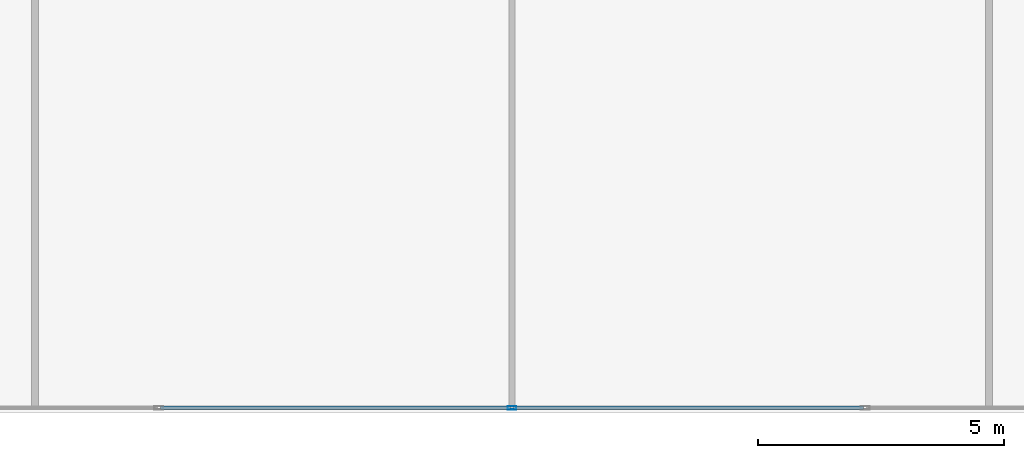
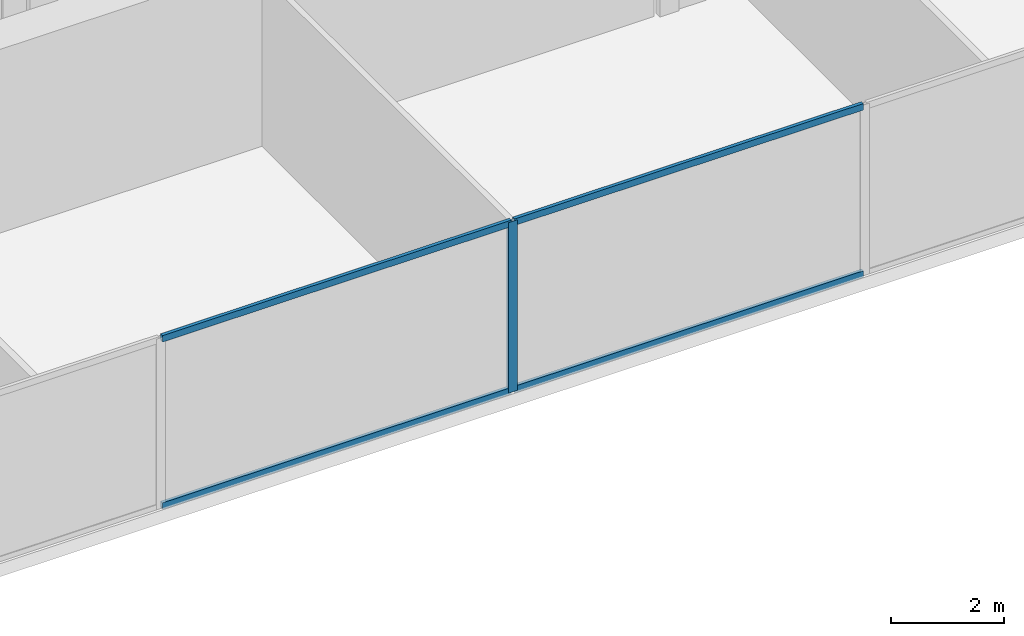
# One storey, part 6 of 28: 5 members, 1 element without a shape of its own.
"""IFC4 building model written with IfcOpenShell, lengths in metres."""

from ifc_helpers import new_model, si_unit, direction, frame, origin, origin_2d, place, context, subcontext, project, spatial, hollow_rectangle, extrude, source, transform, mapped, material, material_profile, profile_set, type_object, type_shapes, element, aggregate, save


model = new_model("IFC4")

# Units and contexts
model_context = context("Model", 3, precision=1e-05, world=origin(), true_north=direction((0.0, 1.0)))
body_context = subcontext(model_context, "Body", "Model", "MODEL_VIEW")
ifc_project = project(units=[si_unit("LENGTHUNIT", "METRE"), si_unit("AREAUNIT", "SQUARE_METRE"), si_unit("VOLUMEUNIT", "CUBIC_METRE"), si_unit("PLANEANGLEUNIT", "RADIAN"), si_unit("MASSUNIT", "GRAM", prefix="KILO")], contexts=[model_context])

# Site, building, storey
site_placement = place(None, origin())
site = spatial("IfcSite", under=ifc_project, at=site_placement, CompositionType="ELEMENT")
building_placement = place(site_placement, origin())
building = spatial("IfcBuilding", under=site, at=building_placement, Name="Krantzveldt Concourse Tower", CompositionType="ELEMENT")
storey_placement = place(building_placement, frame((0.0, 0.0, 28.949951171875)))
storey = spatial("IfcBuildingStorey", under=building, at=storey_placement, Name="L06", CompositionType="ELEMENT", Elevation=28.949951171875)

# Curtain wall, members
ifc_material = material(Name="Anodised aluminium 6063-T6", Category="aluminium")
curtain_wall_type = type_object("IfcCurtainWallType", Name="CW2", PredefinedType="USERDEFINED", material=ifc_material)
curtain_wall_placement = place(storey_placement, origin())
curtain_wall = element("IfcCurtainWall", 1, at=curtain_wall_placement, inside=storey, type_object=curtain_wall_type, Name="CW-L06-F04", ObjectType="UNITISED CURTAIN WALL", PredefinedType="USERDEFINED")
ifc_material_profile_1 = material_profile(ifc_material, hollow_rectangle(XDim=0.070068359375, YDim=0.139892578125, WallThickness=0.0048828125, at=origin_2d()), Name="Anodised aluminium 6063-T6", Category="aluminium")
ifc_profile_set_1 = profile_set([ifc_material_profile_1], Name="Anodised aluminium 6063-T6 - ALU-TRAN 140x70x5")
member_type_1 = type_object("IfcMemberType", Name="CW-TRN-150", PredefinedType="USERDEFINED", material=ifc_profile_set_1)
shared_shape_1 = source(origin(), body_context, "Body", "SweptSolid", [
    extrude(hollow_rectangle(XDim=0.070068359375, YDim=0.139892578125, WallThickness=0.0048828125, at=origin_2d()), origin(), (0.0, 0.0, 1.0), 7.0966796875),
])
type_shapes(member_type_1, [shared_shape_1])
member_1_placement = place(storey_placement, frame((28.868408203125, 1.7900390625, 0.03515625), z_axis=(1.0, 0.0, 0.0), x_axis=(0.0, 1.0, 0.0)))
member_1 = element("IfcMember", 2, at=member_1_placement, type_object=member_type_1, Name="CW-Z12 transom 3.1", ObjectType="TRANSOM", PredefinedType="USERDEFINED", context=body_context, shape_type="MappedRepresentation", body=[
    mapped(shared_shape_1, transform((0.0, 0.0, 0.0), x_axis=(1.0, 0.0, 0.0), y_axis=(0.0, 1.0, 0.0), z_axis=(0.0, 0.0, 1.0), scale=1.0)),
])
member_2_placement = place(storey_placement, frame((28.868408203125, 1.7900390625, 3.635009765625), z_axis=(1.0, 0.0, 0.0), x_axis=(0.0, 1.0, 0.0)))
member_2 = element("IfcMember", 3, at=member_2_placement, type_object=member_type_1, Name="CW-Z12 transom 3.2", ObjectType="TRANSOM", PredefinedType="USERDEFINED", context=body_context, shape_type="MappedRepresentation", body=[
    mapped(shared_shape_1, transform((0.0, 0.0, 0.0), x_axis=(1.0, 0.0, 0.0), y_axis=(0.0, 1.0, 0.0), z_axis=(0.0, 0.0, 1.0), scale=1.0)),
])
member_3_placement = place(storey_placement, frame((36.034912109375, 1.7900390625, 0.03515625), z_axis=(1.0, 0.0, 0.0), x_axis=(0.0, 1.0, 0.0)))
member_3 = element("IfcMember", 4, at=member_3_placement, type_object=member_type_1, Name="CW-Z12 transom 4.1", ObjectType="TRANSOM", PredefinedType="USERDEFINED", context=body_context, shape_type="MappedRepresentation", body=[
    mapped(shared_shape_1, transform((0.0, 0.0, 0.0), x_axis=(1.0, 0.0, 0.0), y_axis=(0.0, 1.0, 0.0), z_axis=(0.0, 0.0, 1.0), scale=1.0)),
])
member_4_placement = place(storey_placement, frame((36.034912109375, 1.7900390625, 3.635009765625), z_axis=(1.0, 0.0, 0.0), x_axis=(0.0, 1.0, 0.0)))
member_4 = element("IfcMember", 5, at=member_4_placement, type_object=member_type_1, Name="CW-Z12 transom 4.2", ObjectType="TRANSOM", PredefinedType="USERDEFINED", context=body_context, shape_type="MappedRepresentation", body=[
    mapped(shared_shape_1, transform((0.0, 0.0, 0.0), x_axis=(1.0, 0.0, 0.0), y_axis=(0.0, 1.0, 0.0), z_axis=(0.0, 0.0, 1.0), scale=1.0)),
])
ifc_material_profile_2 = material_profile(ifc_material, hollow_rectangle(XDim=0.070068359375, YDim=0.179931640625, WallThickness=0.0048828125, at=origin_2d()), Name="Anodised aluminium 6063-T6", Category="aluminium")
ifc_profile_set_2 = profile_set([ifc_material_profile_2], Name="Anodised aluminium 6063-T6 - ALU-MULL 180x70x5")
member_type_2 = type_object("IfcMemberType", Name="CW-MUL-180", PredefinedType="MULLION", material=ifc_profile_set_2)
shared_shape_2 = source(origin(), body_context, "Body", "SweptSolid", [
    extrude(hollow_rectangle(XDim=0.070068359375, YDim=0.179931640625, WallThickness=0.0048828125, at=origin_2d()), origin(), (0.0, 0.0, 1.0), 3.670166015625),
])
type_shapes(member_type_2, [shared_shape_2])
member_5_placement = place(storey_placement, frame((36.0, 1.7900390625, 0.0), z_axis=(0.0, 0.0, 1.0), x_axis=(0.0, 1.0, 0.0)))
member_5 = element("IfcMember", 6, at=member_5_placement, type_object=member_type_2, Name="CW-Z12 mullion 4", PredefinedType="MULLION", context=body_context, shape_type="MappedRepresentation", body=[
    mapped(shared_shape_2, transform((0.0, 0.0, 0.0), x_axis=(1.0, 0.0, 0.0), y_axis=(0.0, 1.0, 0.0), z_axis=(0.0, 0.0, 1.0), scale=1.0)),
])
aggregate(curtain_wall, [member_5, member_1, member_2, member_3, member_4])

save(model, "model.ifc")
